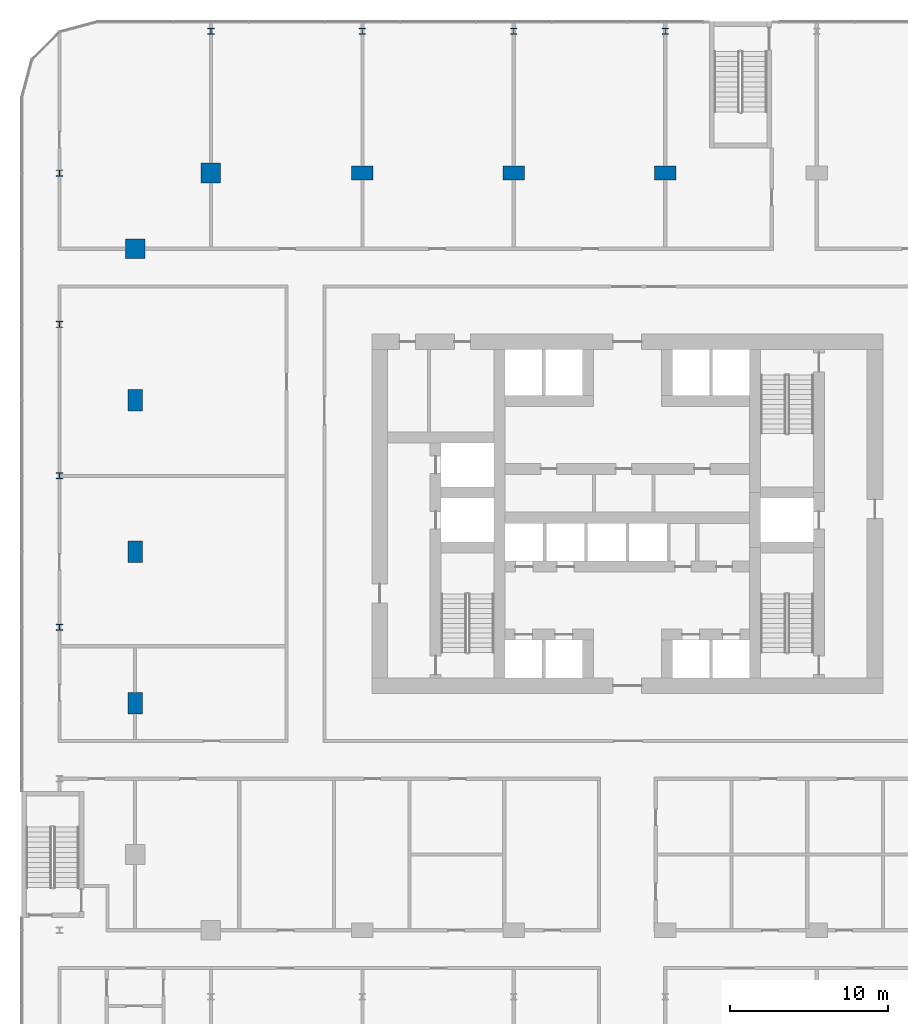
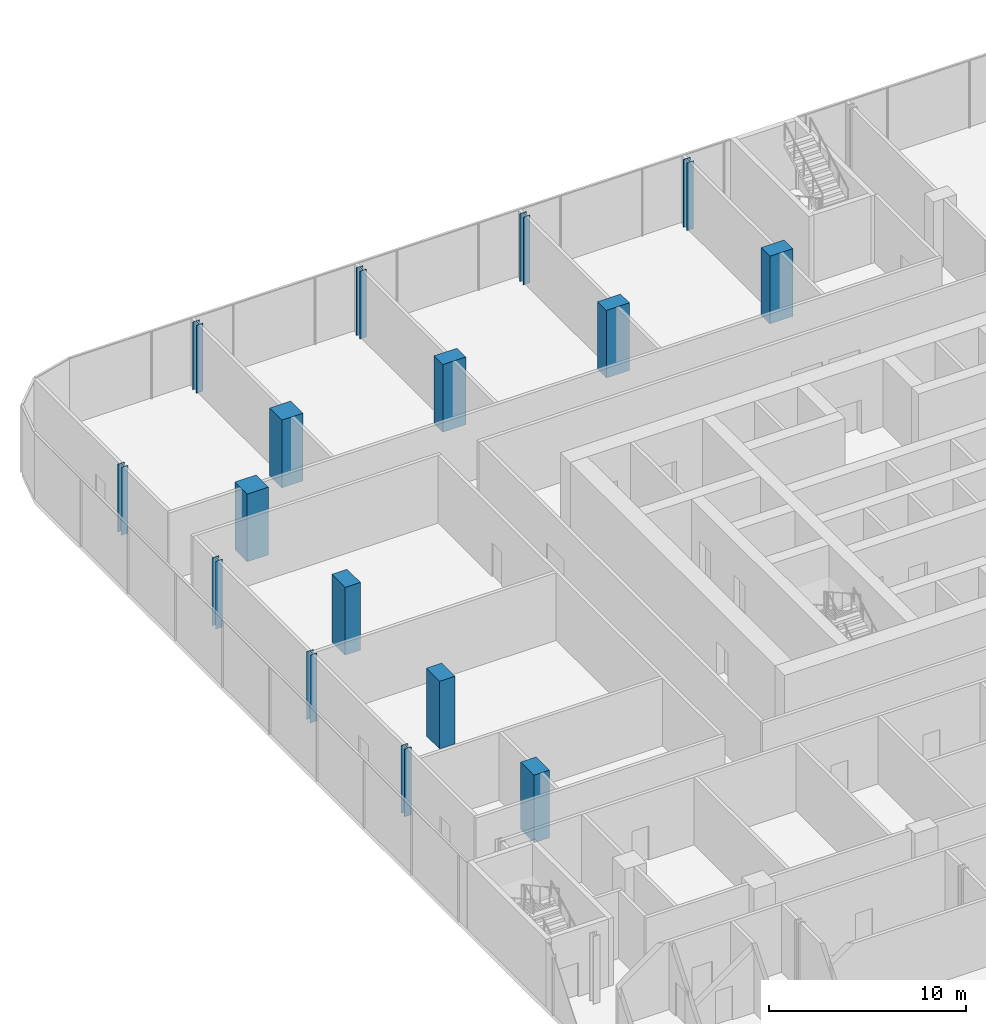
# One storey, part 4 of 45: 16 columns.
"""IFC4 building model written with IfcOpenShell, lengths in metres."""

from ifc_helpers import new_model, si_unit, direction, frame, origin, origin_2d, place, context, subcontext, project, spatial, rectangle, i_section, extrude, material, material_profile, profile_set, type_object, element, save


model = new_model("IFC4")

# Units and contexts
model_context = context("Model", 3, precision=1e-05, world=origin(), true_north=direction((0.0, 1.0)))
body_context = subcontext(model_context, "Body", "Model", "MODEL_VIEW")
ifc_project = project(units=[si_unit("LENGTHUNIT", "METRE"), si_unit("AREAUNIT", "SQUARE_METRE"), si_unit("VOLUMEUNIT", "CUBIC_METRE"), si_unit("PLANEANGLEUNIT", "RADIAN"), si_unit("MASSUNIT", "GRAM", prefix="KILO")], contexts=[model_context])

# Site, building, storey
site_placement = place(None, origin())
site = spatial("IfcSite", under=ifc_project, at=site_placement, CompositionType="ELEMENT")
building_placement = place(site_placement, origin())
building = spatial("IfcBuilding", under=site, at=building_placement, Name="Madar Terraces", CompositionType="ELEMENT")
storey_placement = place(building_placement, frame((0.0, 0.0, 6.0)))
storey = spatial("IfcBuildingStorey", under=building, at=storey_placement, Name="L01", CompositionType="ELEMENT", Elevation=6.0)

# Columns
ifc_material_1 = material(Name="Concrete C80/95", Category="concrete")
ifc_material_profile_1 = material_profile(ifc_material_1, rectangle(XDim=1.35009765625, YDim=0.89990234375, at=origin_2d()), Name="CC1 RC 1350x900")
ifc_profile_set_1 = profile_set([ifc_material_profile_1], Name="Concrete C80/95")
column_type_1 = type_object("IfcColumnType", Name="CC1 RC 1350x900", PredefinedType="COLUMN", material=ifc_profile_set_1)
for number, where, z_axis, x_axis, name in (
    (1, (33.60009765625, 48.0, 0.0), (0.0, 0.0, 1.0), (1.0, 0.0, 0.0), "Perimeter column N3"),
    (2, (24.0, 48.0, 0.0), (0.0, 0.0, 1.0), (1.0, 0.0, 0.0), "Perimeter column N4"),
    (3, (14.39990234375, 48.0, 0.0), (0.0, 0.0, 1.0), (1.0, 0.0, 0.0), "Perimeter column N5"),
    (4, (0.0, 33.60009765625, 0.0), (0.0, 0.0, 1.0), (0.0, 1.0, 0.0), "Perimeter column W2"),
    (5, (0.0, 24.0, 0.0), (0.0, 0.0, 1.0), (0.0, 1.0, 0.0), "Perimeter column W3"),
    (6, (0.0, 14.39990234375, 0.0), (0.0, 0.0, 1.0), (0.0, 1.0, 0.0), "Perimeter column W4"),
):
    element("IfcColumn", number, at=place(storey_placement, frame(where, z_axis=z_axis, x_axis=x_axis)), inside=storey, type_object=column_type_1, Name=name, PredefinedType="COLUMN", context=body_context, shape_type="SweptSolid", body=[
        extrude(rectangle(XDim=1.35009765625, YDim=0.89990234375, at=origin_2d()), origin(), (0.0, 0.0, 1.0), 4.199951171875),
    ])
ifc_material_2 = material(Name="Concrete C80/95", Category="concrete")
ifc_material_profile_2 = material_profile(ifc_material_2, rectangle(XDim=1.25, YDim=1.25, at=origin_2d()), Name="KC1 RC 1250x1250")
ifc_profile_set_2 = profile_set([ifc_material_profile_2], Name="Concrete C80/95")
column_type_2 = type_object("IfcColumnType", Name="KC1 RC 1250x1250", PredefinedType="COLUMN", material=ifc_profile_set_2)
for number, where, z_axis, x_axis, name in (
    (7, (4.800048828125, 48.0, 0.0), (0.0, 0.0, 1.0), (1.0, 0.0, 0.0), "Perimeter column N6"),
    (8, (0.0, 43.199951171875, 0.0), (0.0, 0.0, 1.0), (1.0, 0.0, 0.0), "Perimeter column W1"),
):
    element("IfcColumn", number, at=place(storey_placement, frame(where, z_axis=z_axis, x_axis=x_axis)), inside=storey, type_object=column_type_2, Name=name, PredefinedType="COLUMN", context=body_context, shape_type="SweptSolid", body=[
        extrude(rectangle(XDim=1.25, YDim=1.25, at=origin_2d()), origin(), (0.0, 0.0, 1.0), 4.199951171875),
    ])
ifc_material_3 = material(Name="Steel ASTM A992 Grade 50", Category="steel")
ifc_material_profile_3 = material_profile(ifc_material_3, i_section(OverallWidth=0.396240234375, OverallDepth=0.381103515625, WebThickness=0.01904296875, FlangeThickness=0.0302734375, at=origin_2d()), Name="W14x159")
ifc_profile_set_3 = profile_set([ifc_material_profile_3], Name="Steel ASTM A992 Grade 50")
column_type_3 = type_object("IfcColumnType", Name="PC2 W14x159", PredefinedType="COLUMN", material=ifc_profile_set_3)
for number, where, z_axis, x_axis, name in (
    (9, (-4.800048828125, 19.199951171875, 0.0), (0.0, 0.0, 1.0), (1.0, 0.0, 0.0), "Podium column PC2"),
    (10, (-4.800048828125, 28.800048828125, 0.0), (0.0, 0.0, 1.0), (1.0, 0.0, 0.0), "Podium column PC2"),
    (11, (-4.800048828125, 38.39990234375, 0.0), (0.0, 0.0, 1.0), (1.0, 0.0, 0.0), "Podium column PC2"),
    (12, (-4.800048828125, 48.0, 0.0), (0.0, 0.0, 1.0), (1.0, 0.0, 0.0), "Podium column PC2"),
    (13, (4.800048828125, 57.0, 0.0), (0.0, 0.0, 1.0), (1.0, 0.0, 0.0), "Podium column PC2"),
    (14, (14.39990234375, 57.0, 0.0), (0.0, 0.0, 1.0), (1.0, 0.0, 0.0), "Podium column PC2"),
    (15, (24.0, 57.0, 0.0), (0.0, 0.0, 1.0), (1.0, 0.0, 0.0), "Podium column PC2"),
    (16, (33.60009765625, 57.0, 0.0), (0.0, 0.0, 1.0), (1.0, 0.0, 0.0), "Podium column PC2"),
):
    element("IfcColumn", number, at=place(storey_placement, frame(where, z_axis=z_axis, x_axis=x_axis)), inside=storey, type_object=column_type_3, Name=name, PredefinedType="COLUMN", context=body_context, shape_type="SweptSolid", body=[
        extrude(i_section(OverallWidth=0.396240234375, OverallDepth=0.381103515625, WebThickness=0.01904296875, FlangeThickness=0.0302734375, at=origin_2d()), origin(), (0.0, 0.0, 1.0), 4.199951171875),
    ])

save(model, "model.ifc")
